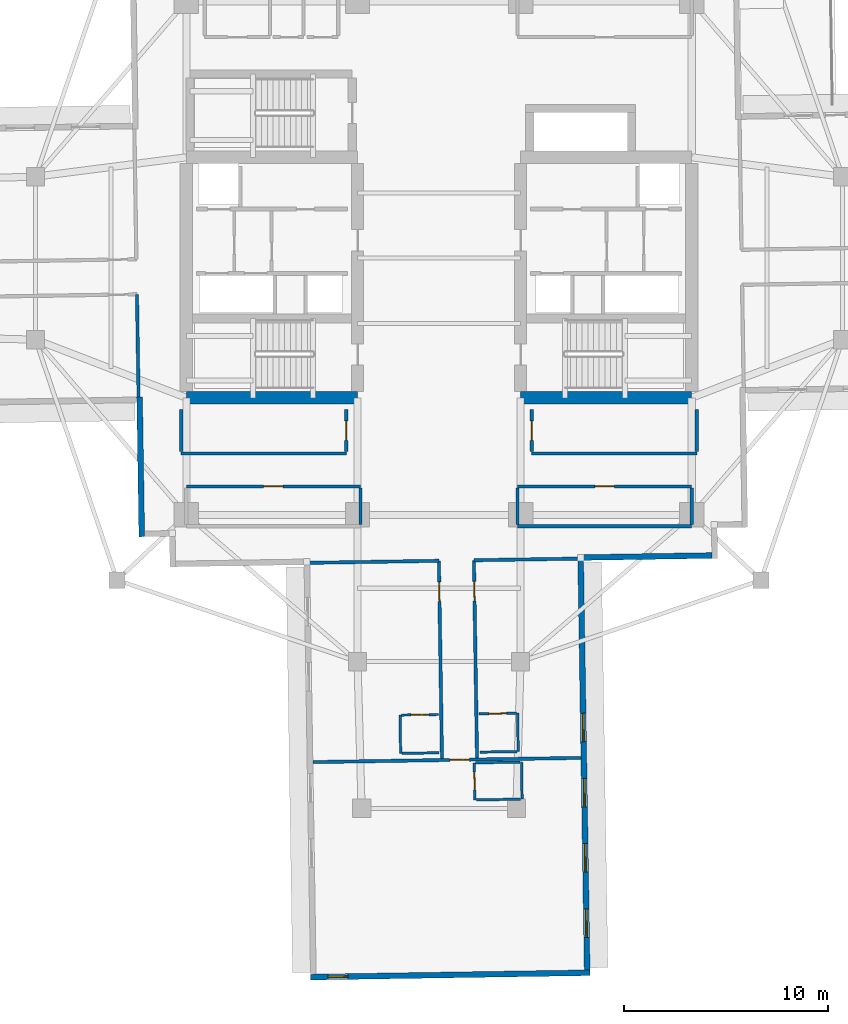
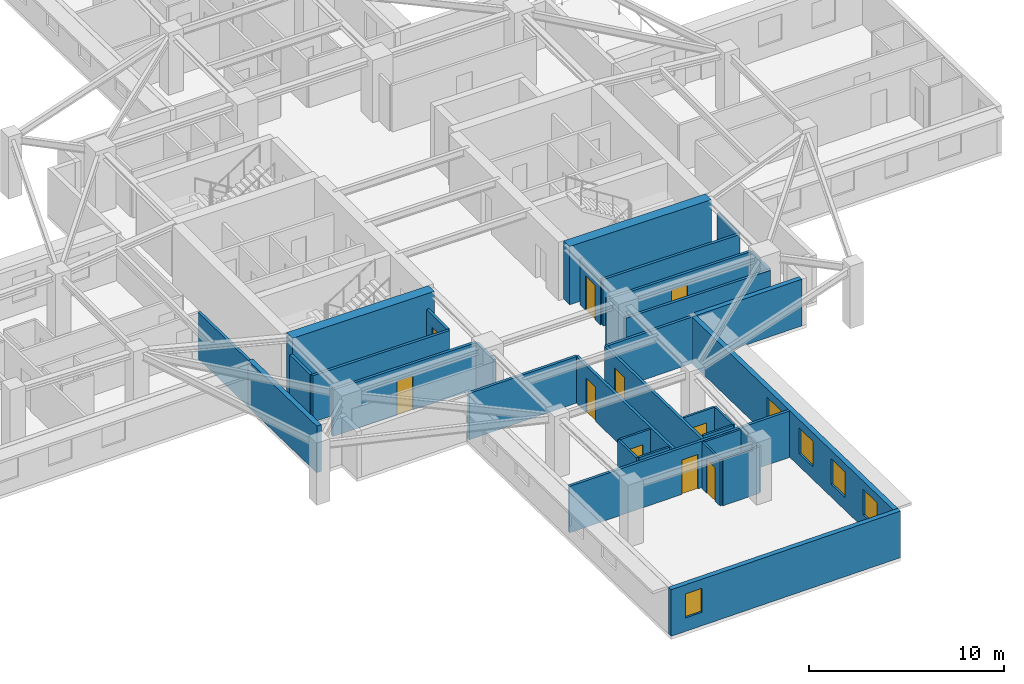
# One storey, part 3 of 13: 34 walls, 10 doors, 5 windows, 15 openings.
"""IFC4 building model written with IfcOpenShell, lengths in metres."""

from ifc_helpers import new_model, si_unit, direction, frame, frame_2d, origin, place, context, subcontext, project, spatial, rectangle, extrude, material, layer, layer_set, type_object, element, fill, save


model = new_model("IFC4")

# Units and contexts
model_context = context("Model", 3, precision=1e-05, world=origin(), true_north=direction((0.0, 1.0)))
body_context = subcontext(model_context, "Body", "Model", "MODEL_VIEW")
ifc_project = project(units=[si_unit("LENGTHUNIT", "METRE"), si_unit("AREAUNIT", "SQUARE_METRE"), si_unit("VOLUMEUNIT", "CUBIC_METRE"), si_unit("PLANEANGLEUNIT", "RADIAN"), si_unit("MASSUNIT", "GRAM", prefix="KILO")], contexts=[model_context])

# Site, building, storey
site_placement = place(None, origin())
site = spatial("IfcSite", under=ifc_project, at=site_placement, CompositionType="ELEMENT")
building_placement = place(site_placement, origin())
building = spatial("IfcBuilding", under=site, at=building_placement, Name="Qingluan Cross Belvedere", CompositionType="ELEMENT")
storey_placement = place(building_placement, frame((0.0, 0.0, 187.800048828125)))
storey = spatial("IfcBuildingStorey", under=building, at=storey_placement, Name="L47", CompositionType="ELEMENT", Elevation=187.800048828125)

# Walls
ifc_material_1 = material(Name="Concrete C60", Category="concrete")
ifc_layer_1 = layer(ifc_material_1, 0.60009765625, Name="CoreShearWall_600")
ifc_layer_set_1 = layer_set([ifc_layer_1], Name="Concrete C60")
wall_type_1 = type_object("IfcWallType", Name="CoreShearWall_600", PredefinedType="SHEAR", material=ifc_layer_set_1)
for number, where, z_axis, x_axis, name in (
    (1, (-12.39990234375, -6.85009765625, 0.0), (0.0, 0.0, 1.0), (1.0, 0.0, 0.0), "Split core W shear wall L47-S"),
    (2, (4.0, -6.85009765625, 0.0), (0.0, 0.0, 1.0), (1.0, 0.0, 0.0), "Split core E shear wall L47-S"),
):
    element("IfcWall", number, at=place(storey_placement, frame(where, z_axis=z_axis, x_axis=x_axis)), inside=storey, type_object=wall_type_1, Name=name, PredefinedType="SHEAR", context=body_context, shape_type="SweptSolid", body=[
        extrude(rectangle(XDim=8.39990234375, YDim=0.60009765625, at=frame_2d((4.199951171875, 0.0))), origin(), (0.0, 0.0, 1.0), 3.64990234375),
    ])

# Wall, opening, door
ifc_material_2 = material(Name="Gypsum plasterboard on steel stud acoustic partition", Category="steel")
ifc_layer_2 = layer(ifc_material_2, 0.159912109375, Name="CorridorPartition_160")
ifc_layer_set_2 = layer_set([ifc_layer_2], Name="Gypsum plasterboard on steel stud acoustic partition")
wall_type_2 = type_object("IfcWallType", Name="CorridorPartition_160", PredefinedType="PARTITIONING", material=ifc_layer_set_2)
wall_1_placement = place(storey_placement, frame((-12.39990234375, -11.199951171875, 0.0), z_axis=(0.0, 0.0, 1.0), x_axis=(1.0, 0.0, 0.0)))
wall_1 = element("IfcWall", 3, at=wall_1_placement, inside=storey, type_object=wall_type_2, Name="Partition L47:q_sw:N", PredefinedType="PARTITIONING", context=body_context, shape_type="SweptSolid", body=[
    extrude(rectangle(XDim=8.5498046875, YDim=0.159912109375, at=frame_2d((4.27490234375, 0.0))), origin(), (0.0, 0.0, 1.0), 2.909912109375),
])
opening_1_placement = place(wall_1_placement, frame((3.794921875, 0.0, 0.0)))
opening_1 = element("IfcOpeningElement", 4, at=opening_1_placement, cuts=wall_1, Name="Opening GD-10", PredefinedType="OPENING", context=body_context, shape_type="SweptSolid", body=[
    extrude(rectangle(XDim=0.9599609375, YDim=2.14990234375, at=frame_2d((0.47998046875, 1.074951171875))), frame((0.0, 0.08984375, 0.0), z_axis=(0.0, -1.0, 0.0), x_axis=(1.0, 0.0, 0.0)), (0.0, 0.0, 1.0), 0.179931640625),
])
ifc_material_3 = material(Name="Timber oak fire-rated acoustic guestroom door", Category="wood")
door_type_1 = type_object("IfcDoorType", Name="GuestEntryDoor_FD60", OperationType="NOTDEFINED", PredefinedType="DOOR", material=ifc_material_3)
door_1_placement = place(opening_1_placement, origin())
door_1 = element("IfcDoor", 5, at=door_1_placement, inside=storey, type_object=door_type_1, Name="Executive secretariat office L47 door", OperationType="SINGLE_SWING_RIGHT", OverallHeight=2.14990234375, OverallWidth=0.9599609375, PredefinedType="DOOR", context=body_context, shape_type="SweptSolid", body=[
    extrude(rectangle(XDim=0.9599609375, YDim=2.14990234375, at=frame_2d((0.47998046875, 1.074951171875))), frame((0.0, 0.02490234375, 0.0), z_axis=(0.0, -1.0, 0.0), x_axis=(1.0, 0.0, 0.0)), (0.0, 0.0, 1.0), 0.050048828125),
])
fill(opening_1, door_1)

# Walls
wall_2_placement = place(storey_placement, frame((-3.85009765625, -13.06494140625, 0.0), z_axis=(0.0, 0.0, 1.0), x_axis=(0.0, 1.0, 0.0)))
element("IfcWall", 6, at=wall_2_placement, inside=storey, type_object=wall_type_2, Name="Partition L47:q_sw:E", PredefinedType="PARTITIONING", context=body_context, shape_type="SweptSolid", body=[
    extrude(rectangle(XDim=1.780029296875, YDim=0.159912109375, at=frame_2d((0.89013671875, 0.0))), origin(), (0.0, 0.0, 1.0), 2.909912109375),
])
wall_3_placement = place(storey_placement, frame((3.85009765625, -13.14990234375, 0.0), z_axis=(0.0, 0.0, 1.0), x_axis=(1.0, 0.0, 0.0)))
element("IfcWall", 7, at=wall_3_placement, inside=storey, type_object=wall_type_2, Name="Partition L47:q_se:S", PredefinedType="PARTITIONING", context=body_context, shape_type="SweptSolid", body=[
    extrude(rectangle(XDim=8.5498046875, YDim=0.159912109375, at=frame_2d((4.27490234375, 0.0))), origin(), (0.0, 0.0, 1.0), 2.909912109375),
])

# Wall, opening, door
wall_4_placement = place(storey_placement, frame((3.85009765625, -11.199951171875, 0.0), z_axis=(0.0, 0.0, 1.0), x_axis=(1.0, 0.0, 0.0)))
wall_4 = element("IfcWall", 8, at=wall_4_placement, inside=storey, type_object=wall_type_2, Name="Partition L47:q_se:N", PredefinedType="PARTITIONING", context=body_context, shape_type="SweptSolid", body=[
    extrude(rectangle(XDim=8.5498046875, YDim=0.159912109375, at=frame_2d((4.27490234375, 0.0))), origin(), (0.0, 0.0, 1.0), 2.909912109375),
])
opening_2_placement = place(wall_4_placement, frame((3.794921875, 0.0, 0.0)))
opening_2 = element("IfcOpeningElement", 9, at=opening_2_placement, cuts=wall_4, Name="Opening GD-10", PredefinedType="OPENING", context=body_context, shape_type="SweptSolid", body=[
    extrude(rectangle(XDim=0.9599609375, YDim=2.14990234375, at=frame_2d((0.47998046875, 1.074951171875))), frame((0.0, 0.08984375, 0.0), z_axis=(0.0, -1.0, 0.0), x_axis=(1.0, 0.0, 0.0)), (0.0, 0.0, 1.0), 0.179931640625),
])
door_2_placement = place(opening_2_placement, origin())
door_2 = element("IfcDoor", 10, at=door_2_placement, inside=storey, type_object=door_type_1, Name="Member reading lounge L47 door", OperationType="SINGLE_SWING_LEFT", OverallHeight=2.14990234375, OverallWidth=0.9599609375, PredefinedType="DOOR", context=body_context, shape_type="SweptSolid", body=[
    extrude(rectangle(XDim=0.9599609375, YDim=2.14990234375, at=frame_2d((0.47998046875, 1.074951171875))), frame((0.0, 0.02490234375, 0.0), z_axis=(0.0, -1.0, 0.0), x_axis=(1.0, 0.0, 0.0)), (0.0, 0.0, 1.0), 0.050048828125),
])
fill(opening_2, door_2)

# Walls
for number, where, z_axis, x_axis, name in (
    (11, (3.85009765625, -13.06494140625, 0.0), (0.0, 0.0, 1.0), (0.0, 1.0, 0.0), "Partition L47:q_se:W"),
    (12, (12.39990234375, -13.06494140625, 0.0), (0.0, 0.0, 1.0), (0.0, 1.0, 0.0), "Partition L47:q_se:E"),
):
    element("IfcWall", number, at=place(storey_placement, frame(where, z_axis=z_axis, x_axis=x_axis)), inside=storey, type_object=wall_type_2, Name=name, PredefinedType="PARTITIONING", context=body_context, shape_type="SweptSolid", body=[
        extrude(rectangle(XDim=1.780029296875, YDim=0.159912109375, at=frame_2d((0.89013671875, 0.0))), origin(), (0.0, 0.0, 1.0), 2.909912109375),
    ])
wall_5_placement = place(storey_placement, frame((4.550048828125, -9.580078125, 0.0), z_axis=(0.0, 0.0, 1.0), x_axis=(1.0, 0.0, 0.0)))
element("IfcWall", 13, at=wall_5_placement, inside=storey, type_object=wall_type_2, Name="Partition L47:rec_st4:S", PredefinedType="PARTITIONING", context=body_context, shape_type="SweptSolid", body=[
    extrude(rectangle(XDim=8.099853515625, YDim=0.159912109375, at=frame_2d((4.0498046875, 0.0))), origin(), (0.0, 0.0, 1.0), 2.909912109375),
])

# Wall, opening, door
wall_6_placement = place(storey_placement, frame((4.550048828125, -9.4951171875, 0.0), z_axis=(0.0, 0.0, 1.0), x_axis=(0.0, 1.0, 0.0)))
wall_6 = element("IfcWall", 14, at=wall_6_placement, inside=storey, type_object=wall_type_2, Name="Partition L47:rec_st4:W", PredefinedType="PARTITIONING", context=body_context, shape_type="SweptSolid", body=[
    extrude(rectangle(XDim=2.06005859375, YDim=0.159912109375, at=frame_2d((1.030029296875, 0.0))), origin(), (0.0, 0.0, 1.0), 2.909912109375),
])
opening_3_placement = place(wall_6_placement, frame((0.550048828125, 0.0, 0.0)))
opening_3 = element("IfcOpeningElement", 15, at=opening_3_placement, cuts=wall_6, Name="Opening GD-10", PredefinedType="OPENING", context=body_context, shape_type="SweptSolid", body=[
    extrude(rectangle(XDim=0.9599609375, YDim=2.14990234375, at=frame_2d((0.47998046875, 1.074951171875))), frame((0.0, 0.08984375, 0.0), z_axis=(0.0, -1.0, 0.0), x_axis=(1.0, 0.0, 0.0)), (0.0, 0.0, 1.0), 0.179931640625),
])
door_3_placement = place(opening_3_placement, origin())
door_3 = element("IfcDoor", 16, at=door_3_placement, inside=storey, type_object=door_type_1, Name="Southeast club library room L47 door", OperationType="SINGLE_SWING_RIGHT", OverallHeight=2.14990234375, OverallWidth=0.9599609375, PredefinedType="DOOR", context=body_context, shape_type="SweptSolid", body=[
    extrude(rectangle(XDim=0.9599609375, YDim=2.14990234375, at=frame_2d((0.47998046875, 1.074951171875))), frame((0.0, 0.02490234375, 0.0), z_axis=(0.0, -1.0, 0.0), x_axis=(1.0, 0.0, 0.0)), (0.0, 0.0, 1.0), 0.050048828125),
])
fill(opening_3, door_3)

# Walls
wall_7_placement = place(storey_placement, frame((12.64990234375, -9.4951171875, 0.0), z_axis=(0.0, 0.0, 1.0), x_axis=(0.0, 1.0, 0.0)))
element("IfcWall", 17, at=wall_7_placement, inside=storey, type_object=wall_type_2, Name="Partition L47:rec_st4:E", PredefinedType="PARTITIONING", context=body_context, shape_type="SweptSolid", body=[
    extrude(rectangle(XDim=2.06005859375, YDim=0.159912109375, at=frame_2d((1.030029296875, 0.0))), origin(), (0.0, 0.0, 1.0), 2.909912109375),
])
wall_8_placement = place(storey_placement, frame((-12.64990234375, -9.580078125, 0.0), z_axis=(0.0, 0.0, 1.0), x_axis=(1.0, 0.0, 0.0)))
element("IfcWall", 18, at=wall_8_placement, inside=storey, type_object=wall_type_2, Name="Partition L47:rec_st4_w:S", PredefinedType="PARTITIONING", context=body_context, shape_type="SweptSolid", body=[
    extrude(rectangle(XDim=8.099853515625, YDim=0.159912109375, at=frame_2d((4.0498046875, 0.0))), origin(), (0.0, 0.0, 1.0), 2.909912109375),
])
wall_9_placement = place(storey_placement, frame((-12.64990234375, -9.4951171875, 0.0), z_axis=(0.0, 0.0, 1.0), x_axis=(0.0, 1.0, 0.0)))
element("IfcWall", 19, at=wall_9_placement, inside=storey, type_object=wall_type_2, Name="Partition L47:rec_st4_w:W", PredefinedType="PARTITIONING", context=body_context, shape_type="SweptSolid", body=[
    extrude(rectangle(XDim=2.06005859375, YDim=0.159912109375, at=frame_2d((1.030029296875, 0.0))), origin(), (0.0, 0.0, 1.0), 2.909912109375),
])

# Wall, opening, door
wall_10_placement = place(storey_placement, frame((-4.550048828125, -9.4951171875, 0.0), z_axis=(0.0, 0.0, 1.0), x_axis=(0.0, 1.0, 0.0)))
wall_10 = element("IfcWall", 20, at=wall_10_placement, inside=storey, type_object=wall_type_2, Name="Partition L47:rec_st4_w:E", PredefinedType="PARTITIONING", context=body_context, shape_type="SweptSolid", body=[
    extrude(rectangle(XDim=2.06005859375, YDim=0.159912109375, at=frame_2d((1.030029296875, 0.0))), origin(), (0.0, 0.0, 1.0), 2.909912109375),
])
opening_4_placement = place(wall_10_placement, frame((0.550048828125, 0.0, 0.0)))
opening_4 = element("IfcOpeningElement", 21, at=opening_4_placement, cuts=wall_10, Name="Opening GD-10", PredefinedType="OPENING", context=body_context, shape_type="SweptSolid", body=[
    extrude(rectangle(XDim=0.9599609375, YDim=2.14990234375, at=frame_2d((0.47998046875, 1.074951171875))), frame((0.0, 0.08984375, 0.0), z_axis=(0.0, -1.0, 0.0), x_axis=(1.0, 0.0, 0.0)), (0.0, 0.0, 1.0), 0.179931640625),
])
door_4_placement = place(opening_4_placement, origin())
door_4 = element("IfcDoor", 22, at=door_4_placement, inside=storey, type_object=door_type_1, Name="Southwest club reading room L47 door", OperationType="SINGLE_SWING_LEFT", OverallHeight=2.14990234375, OverallWidth=0.9599609375, PredefinedType="DOOR", context=body_context, shape_type="SweptSolid", body=[
    extrude(rectangle(XDim=0.9599609375, YDim=2.14990234375, at=frame_2d((0.47998046875, 1.074951171875))), frame((0.0, 0.02490234375, 0.0), z_axis=(0.0, -1.0, 0.0), x_axis=(1.0, 0.0, 0.0)), (0.0, 0.0, 1.0), 0.050048828125),
])
fill(opening_4, door_4)

# Wall
wall_11_placement = place(storey_placement, frame((-14.823974609375, -1.773193359375, 0.0), z_axis=(0.0, 0.0, 1.0), x_axis=(0.015720106939, -0.999876431484, 0.0)))
element("IfcWall", 23, at=wall_11_placement, inside=storey, type_object=wall_type_2, Name="Partition L47:W:s1", PredefinedType="PARTITIONING", context=body_context, shape_type="SweptSolid", body=[
    extrude(rectangle(XDim=5.031982421875, YDim=0.159912109375, at=frame_2d((2.51611328125, 0.0))), origin(), (0.0, 0.0, 1.0), 2.909912109375),
])

# Wall, opening, door
wall_12_placement = place(storey_placement, frame((1.713134765625, -14.824951171875, 0.0), z_axis=(0.0, 0.0, 1.0), x_axis=(0.015705659641, -0.999876658521, 0.0)))
wall_12 = element("IfcWall", 24, at=wall_12_placement, inside=storey, type_object=wall_type_2, Name="Partition L47:S:c0", PredefinedType="PARTITIONING", context=body_context, shape_type="SweptSolid", body=[
    extrude(rectangle(XDim=9.699951171875, YDim=0.159912109375, at=frame_2d((4.85009765625, 0.0))), origin(), (0.0, 0.0, 1.0), 2.909912109375),
])
opening_5_placement = place(wall_12_placement, frame((1.032958984375, 0.0, 0.0)))
opening_5 = element("IfcOpeningElement", 25, at=opening_5_placement, cuts=wall_12, Name="Opening GD-10", PredefinedType="OPENING", context=body_context, shape_type="SweptSolid", body=[
    extrude(rectangle(XDim=0.9599609375, YDim=2.14990234375, at=frame_2d((0.47998046875, 1.074951171875))), frame((0.0, 0.08984375, 0.0), z_axis=(0.0, -1.0, 0.0), x_axis=(1.0, 0.0, 0.0)), (0.0, 0.0, 1.0), 0.179931640625),
])
door_5_placement = place(opening_5_placement, origin())
door_5 = element("IfcDoor", 26, at=door_5_placement, inside=storey, type_object=door_type_1, Name="Guest entry fire door 4709", OperationType="SINGLE_SWING_RIGHT", OverallHeight=2.14990234375, OverallWidth=0.9599609375, PredefinedType="DOOR", context=body_context, shape_type="SweptSolid", body=[
    extrude(rectangle(XDim=0.9599609375, YDim=2.14990234375, at=frame_2d((0.47998046875, 1.074951171875))), frame((0.0, 0.02490234375, 0.0), z_axis=(0.0, -1.0, 0.0), x_axis=(1.0, 0.0, 0.0)), (0.0, 0.0, 1.0), 0.050048828125),
])
fill(opening_5, door_5)

# Wall
wall_13_placement = place(storey_placement, frame((1.713134765625, -14.824951171875, 0.0), z_axis=(0.0, 0.0, 1.0), x_axis=(0.99987672073, 0.015701698737, 0.0)))
element("IfcWall", 27, at=wall_13_placement, inside=storey, type_object=wall_type_2, Name="Partition L47:S:s0", PredefinedType="PARTITIONING", context=body_context, shape_type="SweptSolid", body=[
    extrude(rectangle(XDim=5.239990234375, YDim=0.159912109375, at=frame_2d((2.6201171875, 0.0))), origin(), (0.0, 0.0, 1.0), 2.909912109375),
])

# Wall, opening, door
wall_14_placement = place(storey_placement, frame((-0.006591796875, -14.851806640625, 0.0), z_axis=(0.0, 0.0, 1.0), x_axis=(0.015680101899, -0.999877059645, 0.0)))
wall_14 = element("IfcWall", 28, at=wall_14_placement, inside=storey, type_object=wall_type_2, Name="Partition L47:S:c1", PredefinedType="PARTITIONING", context=body_context, shape_type="SweptSolid", body=[
    extrude(rectangle(XDim=9.7001953125, YDim=0.159912109375, at=frame_2d((4.85009765625, 0.0))), origin(), (0.0, 0.0, 1.0), 2.909912109375),
])
opening_6_placement = place(wall_14_placement, frame((1.032958984375, 0.0, 0.0)))
opening_6 = element("IfcOpeningElement", 29, at=opening_6_placement, cuts=wall_14, Name="Opening GD-10", PredefinedType="OPENING", context=body_context, shape_type="SweptSolid", body=[
    extrude(rectangle(XDim=0.9599609375, YDim=2.14990234375, at=frame_2d((0.47998046875, 1.074951171875))), frame((0.0, 0.08984375, 0.0), z_axis=(0.0, -1.0, 0.0), x_axis=(1.0, 0.0, 0.0)), (0.0, 0.0, 1.0), 0.179931640625),
])
door_6_placement = place(opening_6_placement, origin())
door_6 = element("IfcDoor", 30, at=door_6_placement, inside=storey, type_object=door_type_1, Name="Guest entry fire door 4710", OperationType="SINGLE_SWING_RIGHT", OverallHeight=2.14990234375, OverallWidth=0.9599609375, PredefinedType="DOOR", context=body_context, shape_type="SweptSolid", body=[
    extrude(rectangle(XDim=0.9599609375, YDim=2.14990234375, at=frame_2d((0.47998046875, 1.074951171875))), frame((0.0, 0.02490234375, 0.0), z_axis=(0.0, -1.0, 0.0), x_axis=(1.0, 0.0, 0.0)), (0.0, 0.0, 1.0), 0.050048828125),
])
fill(opening_6, door_6)

# Wall
wall_15_placement = place(storey_placement, frame((-0.006591796875, -14.851806640625, 0.0), z_axis=(0.0, 0.0, 1.0), x_axis=(-0.999876577995, -0.015710785373, 0.0)))
element("IfcWall", 31, at=wall_15_placement, inside=storey, type_object=wall_type_2, Name="Partition L47:S:s1", PredefinedType="PARTITIONING", context=body_context, shape_type="SweptSolid", body=[
    extrude(rectangle(XDim=6.47998046875, YDim=0.159912109375, at=frame_2d((3.239990234375, 0.0))), origin(), (0.0, 0.0, 1.0), 2.909912109375),
])

# Wall, opening, door
wall_16_placement = place(storey_placement, frame((-6.184326171875, -24.730224609375, 0.0), z_axis=(0.0, 0.0, 1.0), x_axis=(0.999876528878, 0.015713911007, 0.0)))
wall_16 = element("IfcWall", 32, at=wall_16_placement, inside=storey, type_object=wall_type_2, Name="Partition L47:Scap:in", PredefinedType="PARTITIONING", context=body_context, shape_type="SweptSolid", body=[
    extrude(rectangle(XDim=13.14404296875, YDim=0.159912109375, at=frame_2d((6.572021484375, 0.0))), origin(), (0.0, 0.0, 1.0), 2.909912109375),
])
opening_7_placement = place(wall_16_placement, frame((6.7119140625, 0.0, 0.0)))
opening_7 = element("IfcOpeningElement", 33, at=opening_7_placement, cuts=wall_16, Name="Opening GD-10", PredefinedType="OPENING", context=body_context, shape_type="SweptSolid", body=[
    extrude(rectangle(XDim=0.9599609375, YDim=2.14990234375, at=frame_2d((0.47998046875, 1.074951171875))), frame((0.0, 0.08984375, 0.0), z_axis=(0.0, -1.0, 0.0), x_axis=(1.0, 0.0, 0.0)), (0.0, 0.0, 1.0), 0.179931640625),
])
door_7_placement = place(opening_7_placement, origin())
door_7 = element("IfcDoor", 34, at=door_7_placement, inside=storey, type_object=door_type_1, Name="Presidential suite entrance door L47S", OperationType="SINGLE_SWING_LEFT", OverallHeight=2.14990234375, OverallWidth=0.9599609375, PredefinedType="DOOR", context=body_context, shape_type="SweptSolid", body=[
    extrude(rectangle(XDim=0.9599609375, YDim=2.14990234375, at=frame_2d((0.47998046875, 1.074951171875))), frame((0.0, 0.02490234375, 0.0), z_axis=(0.0, -1.0, 0.0), x_axis=(1.0, 0.0, 0.0)), (0.0, 0.0, 1.0), 0.050048828125),
])
fill(opening_7, door_7)

ifc_material_4 = material(Name="Moisture-resistant gypsum board lining")
ifc_layer_3 = layer(ifc_material_4, 0.1201171875, Name="EnsuiteWetPartition_120")
ifc_layer_set_3 = layer_set([ifc_layer_3], Name="Moisture-resistant gypsum board lining")
wall_type_3 = type_object("IfcWallType", Name="EnsuiteWetPartition_120", PredefinedType="PARTITIONING", material=ifc_layer_set_3)
wall_17_placement = place(storey_placement, frame((1.971435546875, -22.36181640625, 0.0), z_axis=(0.0, 0.0, 1.0), x_axis=(0.999876836305, 0.015694337248, 0.0)))
wall_17 = element("IfcWall", 35, at=wall_17_placement, inside=storey, type_object=wall_type_3, Name="Partition L47:S:bs0_0", PredefinedType="PARTITIONING", context=body_context, shape_type="SweptSolid", body=[
    extrude(rectangle(XDim=1.820068359375, YDim=0.1201171875, at=frame_2d((0.91015625, 0.0))), origin(), (0.0, 0.0, 1.0), 2.909912109375),
])
opening_8_placement = place(wall_17_placement, frame((0.469970703125, 0.0, 0.0)))
opening_8 = element("IfcOpeningElement", 36, at=opening_8_placement, cuts=wall_17, Name="Opening BD-09", PredefinedType="OPENING", context=body_context, shape_type="SweptSolid", body=[
    extrude(rectangle(XDim=0.8798828125, YDim=2.10009765625, at=frame_2d((0.43994140625, 1.050048828125))), frame((0.0, 0.070068359375, 0.0), z_axis=(0.0, -1.0, 0.0), x_axis=(1.0, 0.0, 0.0)), (0.0, 0.0, 1.0), 0.14013671875),
])
ifc_material_5 = material(Name="Moisture-sealed timber en-suite door", Category="wood")
door_type_2 = type_object("IfcDoorType", Name="BathroomDoor_880", OperationType="NOTDEFINED", PredefinedType="DOOR", material=ifc_material_5)
door_8_placement = place(opening_8_placement, origin())
door_8 = element("IfcDoor", 37, at=door_8_placement, inside=storey, type_object=door_type_2, Name="Bathroom door 4709", OperationType="SINGLE_SWING_LEFT", OverallHeight=2.10009765625, OverallWidth=0.8798828125, PredefinedType="DOOR", context=body_context, shape_type="SweptSolid", body=[
    extrude(rectangle(XDim=0.8798828125, YDim=2.10009765625, at=frame_2d((0.43994140625, 1.050048828125))), frame((0.0, 0.02490234375, 0.0), z_axis=(0.0, -1.0, 0.0), x_axis=(1.0, 0.0, 0.0)), (0.0, 0.0, 1.0), 0.050048828125),
])
fill(opening_8, door_8)

# Walls
wall_18_placement = place(storey_placement, frame((2.0009765625, -24.24169921875, 0.0), z_axis=(0.0, 0.0, 1.0), x_axis=(0.999874722342, 0.015828443418, 0.0)))
element("IfcWall", 38, at=wall_18_placement, inside=storey, type_object=wall_type_3, Name="Partition L47:S:bw0_0", PredefinedType="PARTITIONING", context=body_context, shape_type="SweptSolid", body=[
    extrude(rectangle(XDim=1.820068359375, YDim=0.1201171875, at=frame_2d((0.91015625, 0.0))), origin(), (0.0, 0.0, 1.0), 2.909912109375),
])
wall_19_placement = place(storey_placement, frame((3.856201171875, -22.332275390625, 0.0), z_axis=(0.0, 0.0, 1.0), x_axis=(0.015714386166, -0.99987652141, 0.0)))
element("IfcWall", 39, at=wall_19_placement, inside=storey, type_object=wall_type_3, Name="Partition L47:S:bn0_0", PredefinedType="PARTITIONING", context=body_context, shape_type="SweptSolid", body=[
    extrude(rectangle(XDim=1.8798828125, YDim=0.1201171875, at=frame_2d((0.93994140625, 0.0))), origin(), (0.0, 0.0, 1.0), 2.909912109375),
])

# Wall, opening, door
wall_20_placement = place(storey_placement, frame((-1.847900390625, -22.421875, 0.0), z_axis=(0.0, 0.0, 1.0), x_axis=(0.999876803258, 0.015696442504, 0.0)))
wall_20 = element("IfcWall", 40, at=wall_20_placement, inside=storey, type_object=wall_type_3, Name="Partition L47:S:bs1_0", PredefinedType="PARTITIONING", context=body_context, shape_type="SweptSolid", body=[
    extrude(rectangle(XDim=1.81982421875, YDim=0.1201171875, at=frame_2d((0.909912109375, 0.0))), origin(), (0.0, 0.0, 1.0), 2.909912109375),
])
opening_9_placement = place(wall_20_placement, frame((0.469970703125, 0.0, 0.0)))
opening_9 = element("IfcOpeningElement", 41, at=opening_9_placement, cuts=wall_20, Name="Opening BD-09", PredefinedType="OPENING", context=body_context, shape_type="SweptSolid", body=[
    extrude(rectangle(XDim=0.8798828125, YDim=2.10009765625, at=frame_2d((0.43994140625, 1.050048828125))), frame((0.0, 0.070068359375, 0.0), z_axis=(0.0, -1.0, 0.0), x_axis=(1.0, 0.0, 0.0)), (0.0, 0.0, 1.0), 0.14013671875),
])
door_9_placement = place(opening_9_placement, origin())
door_9 = element("IfcDoor", 42, at=door_9_placement, inside=storey, type_object=door_type_2, Name="Bathroom door 4710", OperationType="SINGLE_SWING_LEFT", OverallHeight=2.10009765625, OverallWidth=0.8798828125, PredefinedType="DOOR", context=body_context, shape_type="SweptSolid", body=[
    extrude(rectangle(XDim=0.8798828125, YDim=2.10009765625, at=frame_2d((0.43994140625, 1.050048828125))), frame((0.0, 0.02490234375, 0.0), z_axis=(0.0, -1.0, 0.0), x_axis=(1.0, 0.0, 0.0)), (0.0, 0.0, 1.0), 0.050048828125),
])
fill(opening_9, door_9)

# Walls
wall_21_placement = place(storey_placement, frame((-1.818603515625, -24.301513671875, 0.0), z_axis=(0.0, 0.0, 1.0), x_axis=(0.999876836305, 0.015694337248, 0.0)))
element("IfcWall", 43, at=wall_21_placement, inside=storey, type_object=wall_type_3, Name="Partition L47:S:bw1_0", PredefinedType="PARTITIONING", context=body_context, shape_type="SweptSolid", body=[
    extrude(rectangle(XDim=1.820068359375, YDim=0.1201171875, at=frame_2d((0.91015625, 0.0))), origin(), (0.0, 0.0, 1.0), 2.909912109375),
])
wall_22_placement = place(storey_placement, frame((-1.9130859375, -22.4228515625, 0.0), z_axis=(0.0, 0.0, 1.0), x_axis=(0.015714386166, -0.99987652141, 0.0)))
element("IfcWall", 44, at=wall_22_placement, inside=storey, type_object=wall_type_3, Name="Partition L47:S:bc1_0", PredefinedType="PARTITIONING", context=body_context, shape_type="SweptSolid", body=[
    extrude(rectangle(XDim=1.8798828125, YDim=0.1201171875, at=frame_2d((0.93994140625, 0.0))), origin(), (0.0, 0.0, 1.0), 2.909912109375),
])

# Wall, opening, door
wall_23_placement = place(storey_placement, frame((1.729248046875, -24.765869140625, 0.0), z_axis=(0.0, 0.0, 1.0), x_axis=(0.015694337248, -0.999876836305, 0.0)))
wall_23 = element("IfcWall", 45, at=wall_23_placement, inside=storey, type_object=wall_type_3, Name="Partition L47:Scap:bs", PredefinedType="PARTITIONING", context=body_context, shape_type="SweptSolid", body=[
    extrude(rectangle(XDim=1.820068359375, YDim=0.1201171875, at=frame_2d((0.91015625, 0.0))), origin(), (0.0, 0.0, 1.0), 2.909912109375),
])
opening_10_placement = place(wall_23_placement, frame((0.449951171875, 0.0, 0.0)))
opening_10 = element("IfcOpeningElement", 46, at=opening_10_placement, cuts=wall_23, Name="Opening BD-09", PredefinedType="OPENING", context=body_context, shape_type="SweptSolid", body=[
    extrude(rectangle(XDim=0.8798828125, YDim=2.10009765625, at=frame_2d((0.43994140625, 1.050048828125))), frame((0.0, 0.070068359375, 0.0), z_axis=(0.0, -1.0, 0.0), x_axis=(1.0, 0.0, 0.0)), (0.0, 0.0, 1.0), 0.14013671875),
])
door_10_placement = place(opening_10_placement, origin())
door_10 = element("IfcDoor", 47, at=door_10_placement, inside=storey, type_object=door_type_2, Name="En-suite bathroom door L47S", OperationType="SINGLE_SWING_RIGHT", OverallHeight=2.10009765625, OverallWidth=0.8798828125, PredefinedType="DOOR", context=body_context, shape_type="SweptSolid", body=[
    extrude(rectangle(XDim=0.8798828125, YDim=2.10009765625, at=frame_2d((0.43994140625, 1.050048828125))), frame((0.0, 0.02490234375, 0.0), z_axis=(0.0, -1.0, 0.0), x_axis=(1.0, 0.0, 0.0)), (0.0, 0.0, 1.0), 0.050048828125),
])
fill(opening_10, door_10)

# Walls
wall_24_placement = place(storey_placement, frame((4.048828125, -24.7294921875, 0.0), z_axis=(0.0, 0.0, 1.0), x_axis=(0.015694337248, -0.999876836305, 0.0)))
element("IfcWall", 48, at=wall_24_placement, inside=storey, type_object=wall_type_3, Name="Partition L47:Scap:bb", PredefinedType="PARTITIONING", context=body_context, shape_type="SweptSolid", body=[
    extrude(rectangle(XDim=1.820068359375, YDim=0.1201171875, at=frame_2d((0.91015625, 0.0))), origin(), (0.0, 0.0, 1.0), 2.909912109375),
])
for number, where, z_axis, x_axis, name in (
    (49, (1.79931640625, -24.764892578125, 0.0), (0.0, 0.0, 1.0), (0.999877075733, 0.015679076008, 0.0), "Partition L47:Scap:ba"),
    (50, (1.827880859375, -26.584716796875, 0.0), (0.0, 0.0, 1.0), (0.99987531373, 0.015791041581, 0.0), "Partition L47:Scap:bn"),
):
    element("IfcWall", number, at=place(storey_placement, frame(where, z_axis=z_axis, x_axis=x_axis)), inside=storey, type_object=wall_type_3, Name=name, PredefinedType="PARTITIONING", context=body_context, shape_type="SweptSolid", body=[
        extrude(rectangle(XDim=2.179931640625, YDim=0.1201171875, at=frame_2d((1.08984375, 0.0))), origin(), (0.0, 0.0, 1.0), 2.909912109375),
    ])

# Wall, openings, windows
ifc_material_6 = material(Name="Precast concrete C45", Category="concrete")
ifc_layer_4 = layer(ifc_material_6, 0.280029296875, Name="PrecastFacadeWall_280")
ifc_layer_set_4 = layer_set([ifc_layer_4], Name="Precast concrete C45")
wall_type_4 = type_object("IfcWallType", Name="PrecastFacadeWall_280", PredefinedType="STANDARD", material=ifc_layer_set_4)
wall_25_placement = place(storey_placement, frame((7.26953125, -34.93017578125, 0.0), z_axis=(0.0, 0.0, 1.0), x_axis=(-0.015705059908, 0.999876667941, 0.0)))
wall_25 = element("IfcWall", 51, at=wall_25_placement, inside=storey, type_object=wall_type_4, Name="Facade wall L47-SB", PredefinedType="STANDARD", context=body_context, shape_type="SweptSolid", body=[
    extrude(rectangle(XDim=20.10009765625, YDim=0.280029296875, at=frame_2d((10.050048828125, 0.0))), origin(), (0.0, 0.0, 1.0), 2.919921875),
])
opening_11_placement = place(wall_25_placement, frame((1.60009765625, 0.0, 0.800048828125)))
opening_11 = element("IfcOpeningElement", 52, at=opening_11_placement, cuts=wall_25, Name="Opening W-01", PredefinedType="OPENING", context=body_context, shape_type="SweptSolid", body=[
    extrude(rectangle(XDim=1.39990234375, YDim=1.60009765625, at=frame_2d((0.699951171875, 0.800048828125))), frame((0.0, 0.14990234375, 0.0), z_axis=(0.0, -1.0, 0.0), x_axis=(1.0, 0.0, 0.0)), (0.0, 0.0, 1.0), 0.300048828125),
])
opening_12_placement = place(wall_25_placement, frame((4.800048828125, 0.0, 0.800048828125)))
opening_12 = element("IfcOpeningElement", 53, at=opening_12_placement, cuts=wall_25, Name="Opening W-01", PredefinedType="OPENING", context=body_context, shape_type="SweptSolid", body=[
    extrude(rectangle(XDim=1.39990234375, YDim=1.60009765625, at=frame_2d((0.699951171875, 0.800048828125))), frame((0.0, 0.14990234375, 0.0), z_axis=(0.0, -1.0, 0.0), x_axis=(1.0, 0.0, 0.0)), (0.0, 0.0, 1.0), 0.300048828125),
])
opening_13_placement = place(wall_25_placement, frame((8.0, 0.0, 0.800048828125)))
opening_13 = element("IfcOpeningElement", 54, at=opening_13_placement, cuts=wall_25, Name="Opening W-01", PredefinedType="OPENING", context=body_context, shape_type="SweptSolid", body=[
    extrude(rectangle(XDim=1.39990234375, YDim=1.60009765625, at=frame_2d((0.699951171875, 0.800048828125))), frame((0.0, 0.14990234375, 0.0), z_axis=(0.0, -1.0, 0.0), x_axis=(1.0, 0.0, 0.0)), (0.0, 0.0, 1.0), 0.300048828125),
])
opening_14_placement = place(wall_25_placement, frame((11.199951171875, 0.0, 0.800048828125)))
opening_14 = element("IfcOpeningElement", 55, at=opening_14_placement, cuts=wall_25, Name="Opening W-01", PredefinedType="OPENING", context=body_context, shape_type="SweptSolid", body=[
    extrude(rectangle(XDim=1.39990234375, YDim=1.60009765625, at=frame_2d((0.699951171875, 0.800048828125))), frame((0.0, 0.14990234375, 0.0), z_axis=(0.0, -1.0, 0.0), x_axis=(1.0, 0.0, 0.0)), (0.0, 0.0, 1.0), 0.300048828125),
])
ifc_material_7 = material(Name="Thermally broken triple Low-E glass in aluminium frame", Category="aluminium")
window_type_1 = type_object("IfcWindowType", Name="TriRibbonWin_1400x1600", PartitioningType="SINGLE_PANEL", PredefinedType="WINDOW", material=ifc_material_7)
window_1_placement = place(opening_11_placement, origin())
window_1 = element("IfcWindow", 56, at=window_1_placement, inside=storey, type_object=window_type_1, Name="Ribbon window L47-SB-1", OverallHeight=1.60009765625, OverallWidth=1.39990234375, PartitioningType="SINGLE_PANEL", PredefinedType="WINDOW", context=body_context, shape_type="SweptSolid", body=[
    extrude(rectangle(XDim=1.39990234375, YDim=1.60009765625, at=frame_2d((0.699951171875, 0.800048828125))), frame((0.0, 0.030029296875, 0.0), z_axis=(0.0, -1.0, 0.0), x_axis=(1.0, 0.0, 0.0)), (0.0, 0.0, 1.0), 0.06005859375),
])
fill(opening_11, window_1)
window_2_placement = place(opening_12_placement, origin())
window_2 = element("IfcWindow", 57, at=window_2_placement, inside=storey, type_object=window_type_1, Name="Ribbon window L47-SB-2", OverallHeight=1.60009765625, OverallWidth=1.39990234375, PartitioningType="SINGLE_PANEL", PredefinedType="WINDOW", context=body_context, shape_type="SweptSolid", body=[
    extrude(rectangle(XDim=1.39990234375, YDim=1.60009765625, at=frame_2d((0.699951171875, 0.800048828125))), frame((0.0, 0.030029296875, 0.0), z_axis=(0.0, -1.0, 0.0), x_axis=(1.0, 0.0, 0.0)), (0.0, 0.0, 1.0), 0.06005859375),
])
fill(opening_12, window_2)
window_3_placement = place(opening_13_placement, origin())
window_3 = element("IfcWindow", 58, at=window_3_placement, inside=storey, type_object=window_type_1, Name="Ribbon window L47-SB-3", OverallHeight=1.60009765625, OverallWidth=1.39990234375, PartitioningType="SINGLE_PANEL", PredefinedType="WINDOW", context=body_context, shape_type="SweptSolid", body=[
    extrude(rectangle(XDim=1.39990234375, YDim=1.60009765625, at=frame_2d((0.699951171875, 0.800048828125))), frame((0.0, 0.030029296875, 0.0), z_axis=(0.0, -1.0, 0.0), x_axis=(1.0, 0.0, 0.0)), (0.0, 0.0, 1.0), 0.06005859375),
])
fill(opening_13, window_3)
window_4_placement = place(opening_14_placement, origin())
window_4 = element("IfcWindow", 59, at=window_4_placement, inside=storey, type_object=window_type_1, Name="Ribbon window L47-SB-4", OverallHeight=1.60009765625, OverallWidth=1.39990234375, PartitioningType="SINGLE_PANEL", PredefinedType="WINDOW", context=body_context, shape_type="SweptSolid", body=[
    extrude(rectangle(XDim=1.39990234375, YDim=1.60009765625, at=frame_2d((0.699951171875, 0.800048828125))), frame((0.0, 0.030029296875, 0.0), z_axis=(0.0, -1.0, 0.0), x_axis=(1.0, 0.0, 0.0)), (0.0, 0.0, 1.0), 0.06005859375),
])
fill(opening_14, window_4)

# Wall, opening, window
wall_26_placement = place(storey_placement, frame((-6.306640625, -35.283447265625, 0.0), z_axis=(0.0, 0.0, 1.0), x_axis=(0.999876549481, 0.015712599986, 0.0)))
wall_26 = element("IfcWall", 60, at=wall_26_placement, inside=storey, type_object=wall_type_4, Name="Arm tip precast facade wall L47-S", PredefinedType="STANDARD", context=body_context, shape_type="SweptSolid", body=[
    extrude(rectangle(XDim=13.719970703125, YDim=0.280029296875, at=frame_2d((6.85986328125, 0.0))), origin(), (0.0, 0.0, 1.0), 2.919921875),
])
opening_15_placement = place(wall_26_placement, frame((0.85009765625, 0.0, 0.85009765625)))
opening_15 = element("IfcOpeningElement", 61, at=opening_15_placement, cuts=wall_26, Name="Opening W-03", PredefinedType="OPENING", context=body_context, shape_type="SweptSolid", body=[
    extrude(rectangle(XDim=1.0, YDim=1.5, at=frame_2d((0.5, 0.75))), frame((0.0, 0.14990234375, 0.0), z_axis=(0.0, -1.0, 0.0), x_axis=(1.0, 0.0, 0.0)), (0.0, 0.0, 1.0), 0.300048828125),
])
ifc_material_8 = material(Name="Thermally broken triple Low-E glass in aluminium frame", Category="aluminium")
window_type_2 = type_object("IfcWindowType", Name="TriApexWin_1000x1500", PartitioningType="SINGLE_PANEL", PredefinedType="WINDOW", material=ifc_material_8)
window_5_placement = place(opening_15_placement, origin())
window_5 = element("IfcWindow", 62, at=window_5_placement, inside=storey, type_object=window_type_2, Name="Arm tip triangular window L47-S", OverallHeight=1.5, OverallWidth=1.0, PartitioningType="SINGLE_PANEL", PredefinedType="WINDOW", context=body_context, shape_type="SweptSolid", body=[
    extrude(rectangle(XDim=1.0, YDim=1.5, at=frame_2d((0.5, 0.75))), frame((0.0, 0.030029296875, 0.0), z_axis=(0.0, -1.0, 0.0), x_axis=(1.0, 0.0, 0.0)), (0.0, 0.0, 1.0), 0.06005859375),
])
fill(opening_15, window_5)

# Walls
wall_27_placement = place(storey_placement, frame((-14.69482421875, -6.811767578125, 0.0), z_axis=(0.0, 0.0, 1.0), x_axis=(0.015694809807, -0.999876828887, 0.0)))
element("IfcWall", 63, at=wall_27_placement, inside=storey, type_object=wall_type_4, Name="Corner wall L47-SW1", PredefinedType="STANDARD", context=body_context, shape_type="SweptSolid", body=[
    extrude(rectangle(XDim=6.85986328125, YDim=0.280029296875, at=frame_2d((3.429931640625, 0.0))), origin(), (0.0, 0.0, 1.0), 2.919921875),
])
wall_28_placement = place(storey_placement, frame((13.390869140625, -14.591552734375, 0.0), z_axis=(0.0, 0.0, 1.0), x_axis=(-0.999876833368, -0.015694524359, 0.0)))
element("IfcWall", 64, at=wall_28_placement, inside=storey, type_object=wall_type_4, Name="Corner wall L47-SE4", PredefinedType="STANDARD", context=body_context, shape_type="SweptSolid", body=[
    extrude(rectangle(XDim=6.300048828125, YDim=0.280029296875, at=frame_2d((3.14990234375, 0.0))), origin(), (0.0, 0.0, 1.0), 2.919921875),
])

save(model, "model.ifc")
